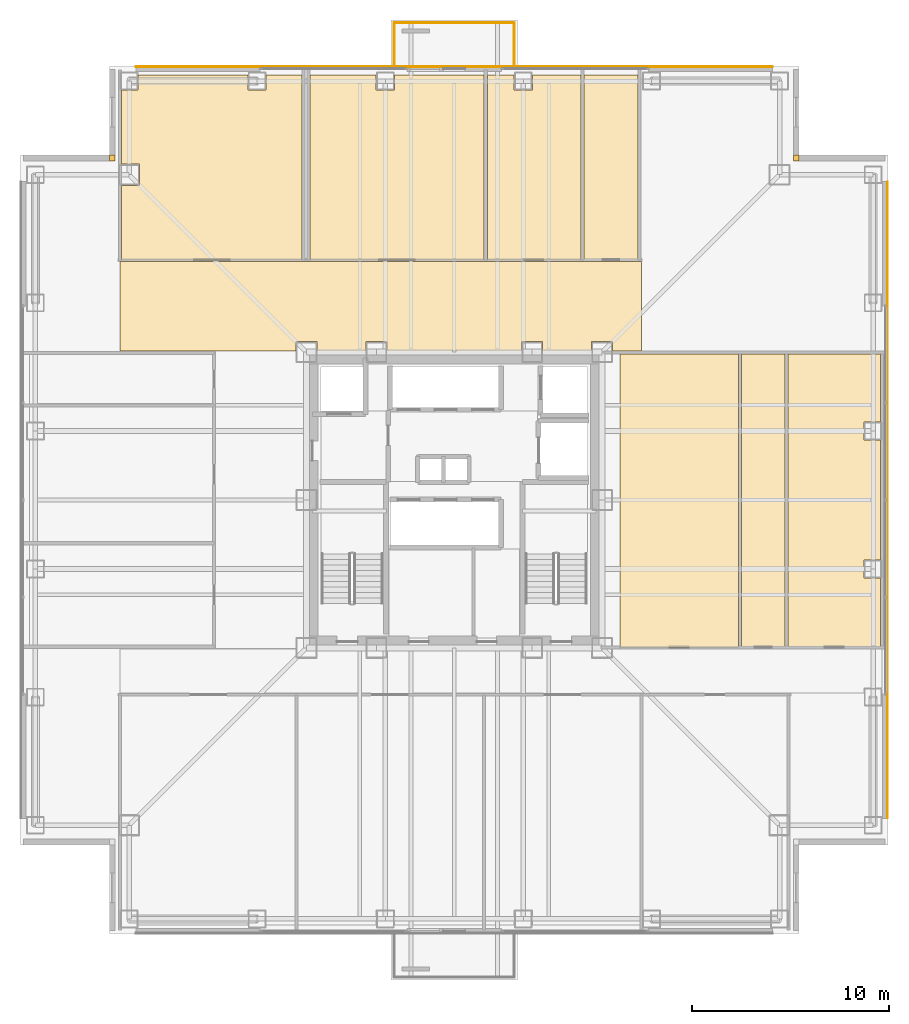
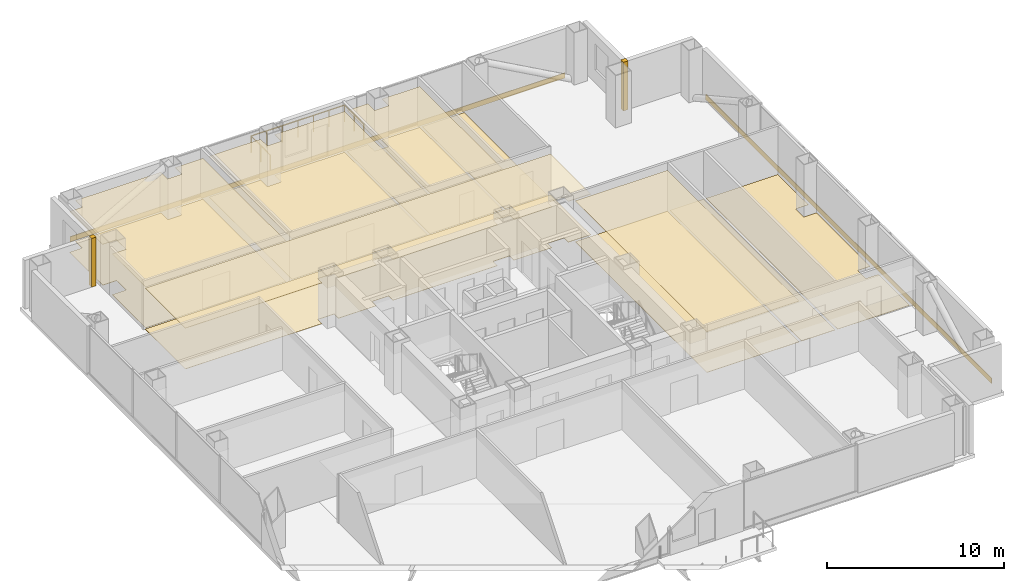
# One storey, part 14 of 14: 17 coverings, 3 railings.
"""IFC4 building model written with IfcOpenShell, lengths in metres."""

import ifcopenshell
import ifcopenshell.guid

model = None  # the IFC model being written
_history = None  # IfcOwnerHistory: only IFC2X3 demands one
_inside = {}  # id of a spatial element -> (the spatial element, [elements in it])
_under = {}  # id of a project, library or spatial element -> (it, [spatial elements below it])
_declared = {}  # id of a project -> (the project, [libraries it declares])
_typed = {}  # id of a type object -> (the type object, [elements of that type])
_made_of = {}  # id of a material, layer set ... -> (it, [elements and type objects made of it])


def new_model(schema):
    """Start an empty IFC model of exactly this schema.

    Asked for "IFC4X3", IfcOpenShell would pick the latest addendum, in which some entities
    have other attributes; the version numbers below select the first issue.
    IFC2X3 requires an IfcOwnerHistory on every rooted entity: one is made here for all.
    """
    global model, _history
    if schema == "IFC4X3":
        model = ifcopenshell.file(schema_version=(4, 3, 0, 0))
    else:
        model = ifcopenshell.file(schema=schema)
    _inside.clear()
    _under.clear()
    _declared.clear()
    _typed.clear()
    _made_of.clear()
    _history = None
    if model.schema == "IFC2X3":
        org = make("IfcOrganization", Name="unknown")
        user = make(
            "IfcPersonAndOrganization",
            ThePerson=make("IfcPerson", FamilyName="unknown"),
            TheOrganization=org,
        )
        app = make(
            "IfcApplication",
            ApplicationDeveloper=org,
            Version="unknown",
            ApplicationFullName="unknown",
            ApplicationIdentifier="unknown",
        )
        _history = make(
            "IfcOwnerHistory",
            OwningUser=user,
            OwningApplication=app,
            ChangeAction="ADDED",
            CreationDate=0,
        )
    return model


def make(cls, **values):
    """One entity of the class cls with the attributes given. An attribute that is None is left unset."""
    return model.create_entity(
        cls, **{name: value for name, value in values.items() if value is not None}
    )


def rooted(cls, **values):
    """An entity with a GlobalId (a new one), such as an element, a storey or a relation."""
    return make(cls, GlobalId=ifcopenshell.guid.new(), OwnerHistory=_history, **values)


def si_unit(unit_type, name, prefix=None):
    """IfcSIUnit, for example si_unit("LENGTHUNIT", "METRE", prefix="MILLI")."""
    return make("IfcSIUnit", UnitType=unit_type, Prefix=prefix, Name=name)


def assignment(units):
    """IfcUnitAssignment: the units of a project."""
    return None if units is None else make("IfcUnitAssignment", Units=units)


def point(xyz):
    """IfcCartesianPoint."""
    return None if xyz is None else make("IfcCartesianPoint", Coordinates=xyz)


def direction(xyz):
    """IfcDirection."""
    return None if xyz is None else make("IfcDirection", DirectionRatios=xyz)


def frame(location, z_axis=None, x_axis=None):
    """IfcAxis2Placement3D, a coordinate frame: its origin and axes. An axis left out is left unset."""
    return make(
        "IfcAxis2Placement3D",
        Location=point(location),
        Axis=direction(z_axis),
        RefDirection=direction(x_axis),
    )


def frame_2d(location, x_axis=None):
    """IfcAxis2Placement2D, a coordinate frame in the plane: its origin and x axis."""
    return make(
        "IfcAxis2Placement2D", Location=point(location), RefDirection=direction(x_axis)
    )


def origin():
    """The frame at (0, 0, 0) with its axes left unset."""
    return frame((0.0, 0.0, 0.0))


def origin_2d():
    """The frame at (0, 0) in the plane with its x axis left unset."""
    return frame_2d((0.0, 0.0))


def place(relative_to, where):
    """IfcLocalPlacement: puts the frame where relative to a parent placement (None: the world)."""
    return make(
        "IfcLocalPlacement", PlacementRelTo=relative_to, RelativePlacement=where
    )


def context(
    kind, dimensions, precision=None, world=None, true_north=None, identifier=None
):
    """IfcGeometricRepresentationContext, for example the 3D "Model" context."""
    return make(
        "IfcGeometricRepresentationContext",
        ContextIdentifier=identifier,
        ContextType=kind,
        CoordinateSpaceDimension=dimensions,
        Precision=precision,
        WorldCoordinateSystem=world,
        TrueNorth=true_north,
    )


def subcontext(parent, identifier, kind, view, scale=None):
    """IfcGeometricRepresentationSubContext, for example "Body" below "Model"."""
    return make(
        "IfcGeometricRepresentationSubContext",
        ContextIdentifier=identifier,
        ContextType=kind,
        ParentContext=parent,
        TargetScale=scale,
        TargetView=view,
    )


def project(units=None, contexts=None):
    """IfcProject with its units and contexts."""
    return rooted(
        "IfcProject",
        Name="project",
        RepresentationContexts=contexts,
        UnitsInContext=assignment(units),
    )


def spatial(cls, under=None, at=None, **own):
    """A site, building, storey or space (cls), placed at a placement, below another one or the project."""
    s = rooted(cls, ObjectPlacement=at, **own)
    if under is not None:
        _under.setdefault(under.id(), (under, []))[1].append(s)
    return s


def polyline(points):
    """IfcPolyline through the points."""
    return make("IfcPolyline", Points=[point(p) for p in points])


def profile(cls, at=None, kind="AREA", **sizes):
    """A parametric profile (cls). Its sizes go by their IFC names, for example OverallWidth=200.0."""
    return make(cls, ProfileType=kind, Position=at, **sizes)


def rectangle(**sizes):
    """IfcRectangleProfileDef."""
    return profile("IfcRectangleProfileDef", **sizes)


def circle(**sizes):
    """IfcCircleProfileDef."""
    return profile("IfcCircleProfileDef", **sizes)


def outline(outer, holes=None, kind="AREA"):
    """IfcArbitraryClosedProfileDef: a profile drawn as a closed curve; with holes, ...WithVoids."""
    if holes is None:
        return make("IfcArbitraryClosedProfileDef", ProfileType=kind, OuterCurve=outer)
    return make(
        "IfcArbitraryProfileDefWithVoids",
        ProfileType=kind,
        OuterCurve=outer,
        InnerCurves=holes,
    )


def extrude(swept, where, along, depth):
    """IfcExtrudedAreaSolid: the profile swept, set in the frame where, extruded along a direction by depth."""
    return make(
        "IfcExtrudedAreaSolid",
        SweptArea=swept,
        Position=where,
        ExtrudedDirection=direction(along),
        Depth=depth,
    )


def shape(context_of_items, identifier, shape_type, items):
    """IfcShapeRepresentation: the items that make up one representation, for example the "Body"."""
    return make(
        "IfcShapeRepresentation",
        ContextOfItems=context_of_items,
        RepresentationIdentifier=identifier,
        RepresentationType=shape_type,
        Items=items,
    )


def material(Name=None, Category=None):
    """IfcMaterial."""
    return make("IfcMaterial", Name=Name, Category=Category)


def layer(
    of_material, thickness, ventilated=None, Name=None, Category=None, Priority=None
):
    """IfcMaterialLayer: one layer of a wall or slab, of a material (None: an air gap)."""
    return make(
        "IfcMaterialLayer",
        Material=of_material,
        LayerThickness=thickness,
        IsVentilated=ventilated,
        Name=Name,
        Category=Category,
        Priority=Priority,
    )


def layer_set(layers, Name=None):
    """IfcMaterialLayerSet."""
    return make("IfcMaterialLayerSet", MaterialLayers=layers, LayerSetName=Name)


def made_of(thing, what):
    """Note that an element or type object is made of a material, layer set ...; save() writes the relation."""
    if what is not None:
        _made_of.setdefault(what.id(), (what, []))[1].append(thing)
    return thing


def type_object(cls, material=None, **own):
    """A type object (cls), such as IfcWallType, which elements share."""
    return made_of(rooted(cls, **own), material)


def element(
    cls,
    number,
    at=None,
    inside=None,
    cuts=None,
    type_object=None,
    material=None,
    context=None,
    identifier="Body",
    shape_type=None,
    held_by="IfcProductDefinitionShape",
    body=None,
    shapes=None,
    **own,
):
    """One element of the class cls, such as IfcWall. Its Tag is "e" and its number.

    at: its placement. inside: the storey or other place that contains it. cuts: it is an
    opening in that element (IfcRelVoidsElement). A single representation is given by context,
    identifier, shape_type and body (its items); several are given by shapes. held_by: the class
    of the entity that holds the representations. save() writes the other relations.
    """
    e = rooted(cls, Tag="e%d" % number, ObjectPlacement=at, **own)
    if body is not None:
        shapes = [shape(context, identifier, shape_type, body)]
    if shapes is not None:
        e.Representation = make(held_by, Representations=shapes)
    if inside is not None:
        _inside.setdefault(inside.id(), (inside, []))[1].append(e)
    if cuts is not None:
        rooted(
            "IfcRelVoidsElement", RelatingBuildingElement=cuts, RelatedOpeningElement=e
        )
    if type_object is not None:
        _typed.setdefault(type_object.id(), (type_object, []))[1].append(e)
    return made_of(e, material)


def aggregate(whole, parts):
    """IfcRelAggregates: a whole, such as a stair, and the parts it consists of."""
    return rooted("IfcRelAggregates", RelatingObject=whole, RelatedObjects=parts)


def save(model, path):
    """Write the relations noted so far, then the file.

    IfcRelAggregates (storeys below a building ...), IfcRelContainedInSpatialStructure (elements
    in a storey), IfcRelDefinesByType, IfcRelAssociatesMaterial and IfcRelDeclares: one each for
    every whole, place, type object, material and project.
    """
    for whole, parts in _under.values():
        aggregate(whole, parts)
    for where, things in _inside.values():
        rooted(
            "IfcRelContainedInSpatialStructure",
            RelatedElements=things,
            RelatingStructure=where,
        )
    for kind, things in _typed.values():
        rooted("IfcRelDefinesByType", RelatedObjects=things, RelatingType=kind)
    for what, things in _made_of.values():
        rooted("IfcRelAssociatesMaterial", RelatedObjects=things, RelatingMaterial=what)
    for by, libraries in _declared.values():
        rooted("IfcRelDeclares", RelatingContext=by, RelatedDefinitions=libraries)
    model.write(path)


model = new_model("IFC4")

# Units and contexts
model_context = context("Model", 3, precision=1e-05, world=origin(), true_north=direction((0.0, 1.0)))
body_context = subcontext(model_context, "Body", "Model", "MODEL_VIEW")
ifc_project = project(units=[si_unit("LENGTHUNIT", "METRE"), si_unit("AREAUNIT", "SQUARE_METRE"), si_unit("VOLUMEUNIT", "CUBIC_METRE"), si_unit("PLANEANGLEUNIT", "RADIAN"), si_unit("MASSUNIT", "GRAM", prefix="KILO")], contexts=[model_context])

# Site, building, storey
site_placement = place(None, origin())
site = spatial("IfcSite", under=ifc_project, at=site_placement, CompositionType="ELEMENT")
building_placement = place(site_placement, origin())
building = spatial("IfcBuilding", under=site, at=building_placement, Name="Trevonay Congress Spire", CompositionType="ELEMENT")
storey_placement = place(building_placement, frame((0.0, 0.0, 133.60009765625)))
storey = spatial("IfcBuildingStorey", under=building, at=storey_placement, Name="L34", CompositionType="ELEMENT", Elevation=133.60009765625)

# Coverings
ifc_material_1 = material(Name="Acoustic Mineral Fibre Board", Category="gypsum")
ifc_layer_1 = layer(ifc_material_1, 0.02490234375, Name="Acoustic Mineral Fibre Board")
ifc_layer_set_1 = layer_set([ifc_layer_1], Name="Acoustic Mineral Fibre Board")
covering_type_1 = type_object("IfcCoveringType", Name="COV-CEIL-ACOUSTIC", PredefinedType="CEILING", material=ifc_layer_set_1)
covering_1_placement = place(storey_placement, frame((0.0, 0.0, 2.809814453125)))
element("IfcCovering", 1, at=covering_1_placement, inside=storey, type_object=covering_type_1, Name="L34 North Sky Promenade Salon acoustic suspended ceiling", PredefinedType="CEILING", context=body_context, shape_type="SweptSolid", body=[
    extrude(outline(polyline([(-16.949951171875, 12.10009765625), (9.5, 12.10009765625), (9.5, 7.550048828125), (8.034912109375, 7.550048828125), (8.034912109375, 8.034912109375), (6.965087890625, 8.034912109375), (6.965087890625, 7.550048828125), (4.485107421875, 7.550048828125), (4.485107421875, 8.034912109375), (3.4150390625, 8.034912109375), (3.4150390625, 7.550048828125), (-3.4150390625, 7.550048828125), (-3.4150390625, 8.034912109375), (-4.485107421875, 8.034912109375), (-4.485107421875, 7.550048828125), (-6.965087890625, 7.550048828125), (-6.965087890625, 8.034912109375), (-8.034912109375, 8.034912109375), (-8.034912109375, 7.56005859375), (-12.110107421875, 7.56005859375), (-12.110107421875, 7.550048828125), (-16.949951171875, 7.550048828125), (-16.949951171875, 12.10009765625)])), origin(), (0.0, 0.0, 1.0), 0.025146484375),
])
covering_2_placement = place(storey_placement, frame((0.0, 0.0, 2.809814453125)))
element("IfcCovering", 2, at=covering_2_placement, inside=storey, type_object=covering_type_1, Name="L34 Digital Media Study Lounge acoustic suspended ceiling", PredefinedType="CEILING", context=body_context, shape_type="SweptSolid", body=[
    extrude(outline(polyline([(-7.72998046875, 21.550048828125), (-7.72998046875, 12.179931640625), (-16.8701171875, 12.179931640625), (-16.8701171875, 15.965087890625), (-15.965087890625, 15.965087890625), (-15.965087890625, 17.034912109375), (-16.8701171875, 17.034912109375), (-16.8701171875, 20.7900390625), (-16.0400390625, 20.7900390625), (-16.0400390625, 21.550048828125), (-10.4599609375, 21.550048828125), (-10.4599609375, 20.7900390625), (-9.5400390625, 20.7900390625), (-9.5400390625, 21.550048828125), (-7.72998046875, 21.550048828125)])), origin(), (0.0, 0.0, 1.0), 0.025146484375),
])
covering_3_placement = place(storey_placement, frame((0.0, 0.0, 2.809814453125)))
element("IfcCovering", 3, at=covering_3_placement, inside=storey, type_object=covering_type_1, Name="L34 Archive Reading Salon acoustic suspended ceiling", PredefinedType="CEILING", context=body_context, shape_type="SweptSolid", body=[
    extrude(outline(polyline([(1.52001953125, 21.550048828125), (1.52001953125, 12.179931640625), (-7.320068359375, 12.179931640625), (-7.320068359375, 21.550048828125), (-3.9599609375, 21.550048828125), (-3.9599609375, 20.7900390625), (-3.0400390625, 20.7900390625), (-3.0400390625, 21.550048828125), (1.52001953125, 21.550048828125)])), origin(), (0.0, 0.0, 1.0), 0.025146484375),
])
covering_4_placement = place(storey_placement, frame((0.0, 0.0, 2.809814453125)))
element("IfcCovering", 4, at=covering_4_placement, inside=storey, type_object=covering_type_1, Name="L34 Academic Pantry acoustic suspended ceiling", PredefinedType="CEILING", context=body_context, shape_type="SweptSolid", body=[
    extrude(outline(polyline([(6.419921875, 21.550048828125), (6.419921875, 12.179931640625), (1.679931640625, 12.179931640625), (1.679931640625, 21.550048828125), (3.0400390625, 21.550048828125), (3.0400390625, 20.7900390625), (3.9599609375, 20.7900390625), (3.9599609375, 21.550048828125), (6.419921875, 21.550048828125)])), origin(), (0.0, 0.0, 1.0), 0.025146484375),
])
covering_5_placement = place(storey_placement, frame((0.0, 0.0, 2.809814453125)))
element("IfcCovering", 5, at=covering_5_placement, inside=storey, type_object=covering_type_1, Name="L34 Curriculum Office East acoustic suspended ceiling", PredefinedType="CEILING", context=body_context, shape_type="SweptSolid", body=[
    extrude(outline(polyline([(8.39990234375, -7.47998046875), (14.419921875, -7.47998046875), (14.419921875, 7.39990234375), (8.39990234375, 7.39990234375), (8.39990234375, -7.47998046875)])), origin(), (0.0, 0.0, 1.0), 0.025146484375),
])
ifc_material_2 = material(Name="Polished Granite Floor Tile", Category="masonry")
ifc_layer_2 = layer(ifc_material_2, 0.02001953125, Name="Polished Granite Floor Tile")
ifc_layer_set_2 = layer_set([ifc_layer_2], Name="Polished Granite Floor Tile")
covering_type_2 = type_object("IfcCoveringType", Name="COV-FLOOR-STONE", PredefinedType="FLOORING", material=ifc_layer_set_2)
covering_6_placement = place(storey_placement, origin())
element("IfcCovering", 6, at=covering_6_placement, inside=storey, type_object=covering_type_2, Name="L34 Academic Pantry floor finish", PredefinedType="FLOORING", context=body_context, shape_type="SweptSolid", body=[
    extrude(outline(polyline([(6.419921875, 21.550048828125), (6.419921875, 12.179931640625), (1.679931640625, 12.179931640625), (1.679931640625, 21.550048828125), (3.0400390625, 21.550048828125), (3.0400390625, 20.7900390625), (3.9599609375, 20.7900390625), (3.9599609375, 21.550048828125), (6.419921875, 21.550048828125)])), origin(), (0.0, 0.0, 1.0), 0.02001953125),
])
covering_7_placement = place(storey_placement, origin())
element("IfcCovering", 7, at=covering_7_placement, inside=storey, type_object=covering_type_2, Name="L34 Female Restroom WC floor finish", PredefinedType="FLOORING", context=body_context, shape_type="SweptSolid", body=[
    extrude(outline(polyline([(6.580078125, 12.179931640625), (9.320068359375, 12.179931640625), (9.320068359375, 21.550048828125), (6.580078125, 21.550048828125), (6.580078125, 12.179931640625)])), origin(), (0.0, 0.0, 1.0), 0.02001953125),
])
covering_8_placement = place(storey_placement, origin())
element("IfcCovering", 8, at=covering_8_placement, inside=storey, type_object=covering_type_2, Name="L34 Male Restroom WC floor finish", PredefinedType="FLOORING", context=body_context, shape_type="SweptSolid", body=[
    extrude(outline(polyline([(14.580078125, -7.47998046875), (16.77001953125, -7.47998046875), (16.77001953125, 7.39990234375), (14.580078125, 7.39990234375), (14.580078125, -7.47998046875)])), origin(), (0.0, 0.0, 1.0), 0.02001953125),
])
covering_9_placement = place(storey_placement, origin())
element("IfcCovering", 9, at=covering_9_placement, inside=storey, type_object=covering_type_2, Name="L34 Floor Supplies and Copy Room floor finish", PredefinedType="FLOORING", context=body_context, shape_type="SweptSolid", body=[
    extrude(outline(polyline([(21.6201171875, -7.47998046875), (16.929931640625, -7.47998046875), (16.929931640625, 7.39990234375), (21.6201171875, 7.39990234375), (21.6201171875, 3.9599609375), (20.7900390625, 3.9599609375), (20.7900390625, 3.0400390625), (21.6201171875, 3.0400390625), (21.6201171875, -3.0400390625), (20.7900390625, -3.0400390625), (20.7900390625, -3.9599609375), (21.6201171875, -3.9599609375), (21.6201171875, -7.47998046875)])), origin(), (0.0, 0.0, 1.0), 0.02001953125),
])
ifc_material_3 = material(Name="Engineered Oak Flooring", Category="wood")
ifc_layer_3 = layer(ifc_material_3, 0.01806640625, Name="Engineered Oak Flooring")
ifc_layer_set_3 = layer_set([ifc_layer_3], Name="Engineered Oak Flooring")
covering_type_3 = type_object("IfcCoveringType", Name="COV-FLOOR-TIMBER", PredefinedType="FLOORING", material=ifc_layer_set_3)
covering_10_placement = place(storey_placement, origin())
element("IfcCovering", 10, at=covering_10_placement, inside=storey, type_object=covering_type_3, Name="L34 North Sky Promenade Salon floor finish", PredefinedType="FLOORING", context=body_context, shape_type="SweptSolid", body=[
    extrude(outline(polyline([(-16.949951171875, 12.10009765625), (9.5, 12.10009765625), (9.5, 7.550048828125), (8.034912109375, 7.550048828125), (8.034912109375, 8.034912109375), (6.965087890625, 8.034912109375), (6.965087890625, 7.550048828125), (4.485107421875, 7.550048828125), (4.485107421875, 8.034912109375), (3.4150390625, 8.034912109375), (3.4150390625, 7.550048828125), (-3.4150390625, 7.550048828125), (-3.4150390625, 8.034912109375), (-4.485107421875, 8.034912109375), (-4.485107421875, 7.550048828125), (-6.965087890625, 7.550048828125), (-6.965087890625, 8.034912109375), (-8.034912109375, 8.034912109375), (-8.034912109375, 7.56005859375), (-12.110107421875, 7.56005859375), (-12.110107421875, 7.550048828125), (-16.949951171875, 7.550048828125), (-16.949951171875, 12.10009765625)])), origin(), (0.0, 0.0, 1.0), 0.017822265625),
])
covering_11_placement = place(storey_placement, origin())
element("IfcCovering", 11, at=covering_11_placement, inside=storey, type_object=covering_type_3, Name="L34 Digital Media Study Lounge floor finish", PredefinedType="FLOORING", context=body_context, shape_type="SweptSolid", body=[
    extrude(outline(polyline([(-7.72998046875, 21.550048828125), (-7.72998046875, 12.179931640625), (-16.8701171875, 12.179931640625), (-16.8701171875, 15.965087890625), (-15.965087890625, 15.965087890625), (-15.965087890625, 17.034912109375), (-16.8701171875, 17.034912109375), (-16.8701171875, 20.7900390625), (-16.0400390625, 20.7900390625), (-16.0400390625, 21.550048828125), (-10.4599609375, 21.550048828125), (-10.4599609375, 20.7900390625), (-9.5400390625, 20.7900390625), (-9.5400390625, 21.550048828125), (-7.72998046875, 21.550048828125)])), origin(), (0.0, 0.0, 1.0), 0.017822265625),
])
covering_12_placement = place(storey_placement, origin())
element("IfcCovering", 12, at=covering_12_placement, inside=storey, type_object=covering_type_3, Name="L34 Archive Reading Salon floor finish", PredefinedType="FLOORING", context=body_context, shape_type="SweptSolid", body=[
    extrude(outline(polyline([(1.52001953125, 21.550048828125), (1.52001953125, 12.179931640625), (-7.320068359375, 12.179931640625), (-7.320068359375, 21.550048828125), (-3.9599609375, 21.550048828125), (-3.9599609375, 20.7900390625), (-3.0400390625, 20.7900390625), (-3.0400390625, 21.550048828125), (1.52001953125, 21.550048828125)])), origin(), (0.0, 0.0, 1.0), 0.017822265625),
])
covering_13_placement = place(storey_placement, origin())
element("IfcCovering", 13, at=covering_13_placement, inside=storey, type_object=covering_type_3, Name="L34 Curriculum Office East floor finish", PredefinedType="FLOORING", context=body_context, shape_type="SweptSolid", body=[
    extrude(outline(polyline([(8.39990234375, -7.47998046875), (14.419921875, -7.47998046875), (14.419921875, 7.39990234375), (8.39990234375, 7.39990234375), (8.39990234375, -7.47998046875)])), origin(), (0.0, 0.0, 1.0), 0.017822265625),
])
ifc_material_4 = material(Name="Pale Anodised Aluminium EN AW-6063-T6", Category="aluminium")
ifc_layer_4 = layer(ifc_material_4, 0.0400390625, Name="Pale Anodised Aluminium EN AW-6063-T6")
ifc_layer_set_4 = layer_set([ifc_layer_4], Name="Pale Anodised Aluminium EN AW-6063-T6")
covering_type_4 = type_object("IfcCoveringType", Name="COV-SPANDREL-PALE-METAL", PredefinedType="CLADDING", material=ifc_layer_set_4)
for number, where, z_axis, x_axis, name in (
    (14, (-16.14990234375, 21.97998046875, -0.239990234375), (0.0, 0.0, 1.0), (1.0, 0.0, 0.0), "L34 N pale-metal slab-edge spandrel cladding"),
    (15, (21.97998046875, -16.14990234375, -0.239990234375), (0.0, 0.0, 1.0), (0.0, 1.0, 0.0), "L34 E pale-metal slab-edge spandrel cladding"),
):
    element("IfcCovering", number, at=place(storey_placement, frame(where, z_axis=z_axis, x_axis=x_axis)), inside=storey, type_object=covering_type_4, Name=name, PredefinedType="CLADDING", context=body_context, shape_type="SweptSolid", body=[
        extrude(rectangle(XDim=32.2998046875, YDim=0.0400390625, at=frame_2d((16.14990234375, 0.0))), origin(), (0.0, 0.0, 1.0), 0.35986328125),
    ])
covering_14_placement = place(storey_placement, origin())
element("IfcCovering", 16, at=covering_14_placement, inside=storey, type_object=covering_type_4, Name="L34 NE re-entrant notch corner closure trim", PredefinedType="CLADDING", context=body_context, shape_type="SweptSolid", body=[
    extrude(outline(polyline([(17.199951171875, 17.199951171875), (17.5, 17.199951171875), (17.5, 17.5), (17.199951171875, 17.5), (17.199951171875, 17.199951171875)])), origin(), (0.0, 0.0, 1.0), 3.35986328125),
])
covering_15_placement = place(storey_placement, origin())
element("IfcCovering", 17, at=covering_15_placement, inside=storey, type_object=covering_type_4, Name="L34 NW re-entrant notch corner closure trim", PredefinedType="CLADDING", context=body_context, shape_type="SweptSolid", body=[
    extrude(outline(polyline([(-17.5, 17.199951171875), (-17.199951171875, 17.199951171875), (-17.199951171875, 17.5), (-17.5, 17.5), (-17.5, 17.199951171875)])), origin(), (0.0, 0.0, 1.0), 3.35986328125),
])

# Railings
railing_type = type_object("IfcRailingType", Name="RAL-EXT-GUARD-115", PredefinedType="GUARDRAIL", material=ifc_material_4)
railing_1_placement = place(storey_placement, frame((-3.050048828125, 22.050048828125, 0.0)))
element("IfcRailing", 18, at=railing_1_placement, inside=storey, type_object=railing_type, Name="L34 perimeter safety guard GRD-L34-TBAL-N-1", PredefinedType="GUARDRAIL", context=body_context, shape_type="SweptSolid", body=[
    extrude(circle(Radius=0.02392578125, at=origin_2d()), frame((0.0, 0.0, 1.1259765625), z_axis=(0.0, 1.0, 0.0), x_axis=(-1.0, 0.0, 0.0)), (0.0, 0.0, 1.0), 2.14990234375),
    extrude(circle(Radius=0.02099609375, at=origin_2d()), origin(), (0.0, 0.0, 1.0), 1.101806640625),
    extrude(circle(Radius=0.02099609375, at=origin_2d()), frame((0.0, 1.074951171875, 0.0)), (0.0, 0.0, 1.0), 1.101806640625),
    extrude(circle(Radius=0.02099609375, at=origin_2d()), frame((0.0, 2.14990234375, 0.0)), (0.0, 0.0, 1.0), 1.101806640625),
])
railing_2_placement = place(storey_placement, frame((-3.050048828125, 24.199951171875, 0.0)))
element("IfcRailing", 19, at=railing_2_placement, inside=storey, type_object=railing_type, Name="L34 perimeter safety guard GRD-L34-TBAL-N-2", PredefinedType="GUARDRAIL", context=body_context, shape_type="SweptSolid", body=[
    extrude(circle(Radius=0.02392578125, at=origin_2d()), frame((0.0, 0.0, 1.1259765625), z_axis=(1.0, 0.0, 0.0), x_axis=(0.0, 1.0, 0.0)), (0.0, 0.0, 1.0), 6.10009765625),
    extrude(circle(Radius=0.02099609375, at=origin_2d()), origin(), (0.0, 0.0, 1.0), 1.101806640625),
    extrude(circle(Radius=0.02099609375, at=origin_2d()), frame((1.0166015625, 0.0, 0.0)), (0.0, 0.0, 1.0), 1.101806640625),
    extrude(circle(Radius=0.02099609375, at=origin_2d()), frame((2.033447265625, 0.0, 0.0)), (0.0, 0.0, 1.0), 1.101806640625),
    extrude(circle(Radius=0.02099609375, at=origin_2d()), frame((3.050048828125, 0.0, 0.0)), (0.0, 0.0, 1.0), 1.101806640625),
    extrude(circle(Radius=0.02099609375, at=origin_2d()), frame((4.066650390625, 0.0, 0.0)), (0.0, 0.0, 1.0), 1.101806640625),
    extrude(circle(Radius=0.02099609375, at=origin_2d()), frame((5.08349609375, 0.0, 0.0)), (0.0, 0.0, 1.0), 1.101806640625),
    extrude(circle(Radius=0.02099609375, at=origin_2d()), frame((6.10009765625, 0.0, 0.0)), (0.0, 0.0, 1.0), 1.101806640625),
])
railing_3_placement = place(storey_placement, frame((3.050048828125, 24.199951171875, 0.0)))
element("IfcRailing", 20, at=railing_3_placement, inside=storey, type_object=railing_type, Name="L34 perimeter safety guard GRD-L34-TBAL-N-3", PredefinedType="GUARDRAIL", context=body_context, shape_type="SweptSolid", body=[
    extrude(circle(Radius=0.02392578125, at=origin_2d()), frame((0.0, 0.0, 1.1259765625), z_axis=(0.0, -1.0, 0.0), x_axis=(1.0, 0.0, 0.0)), (0.0, 0.0, 1.0), 2.14990234375),
    extrude(circle(Radius=0.02099609375, at=origin_2d()), origin(), (0.0, 0.0, 1.0), 1.101806640625),
    extrude(circle(Radius=0.02099609375, at=origin_2d()), frame((0.0, -1.074951171875, 0.0)), (0.0, 0.0, 1.0), 1.101806640625),
    extrude(circle(Radius=0.02099609375, at=origin_2d()), frame((0.0, -2.14990234375, 0.0)), (0.0, 0.0, 1.0), 1.101806640625),
])

save(model, "model.ifc")
